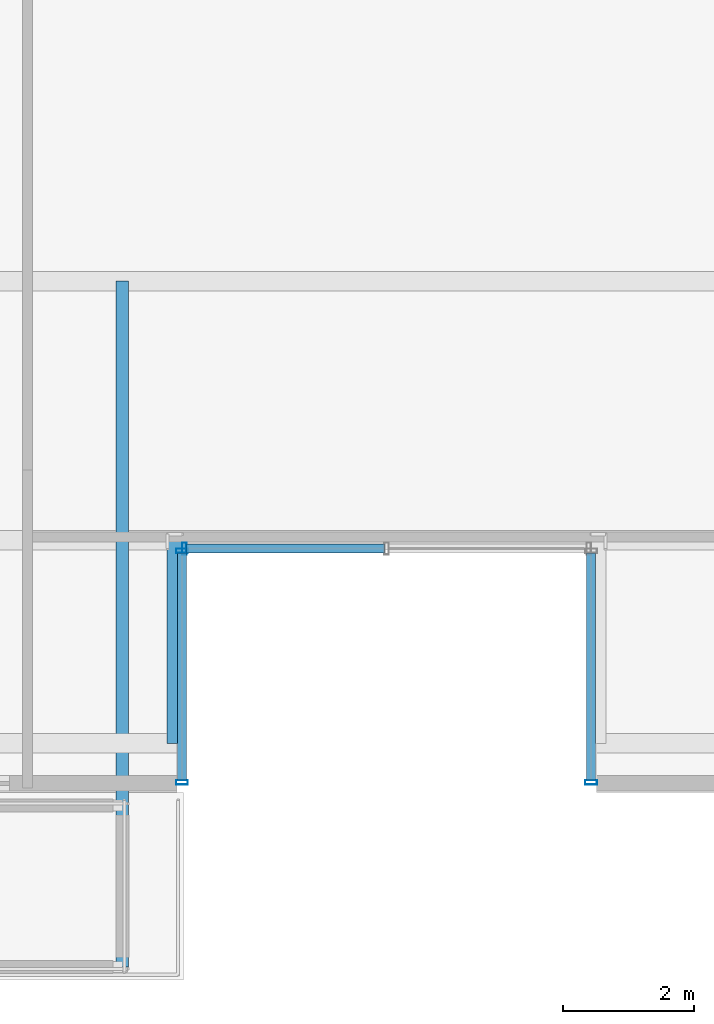
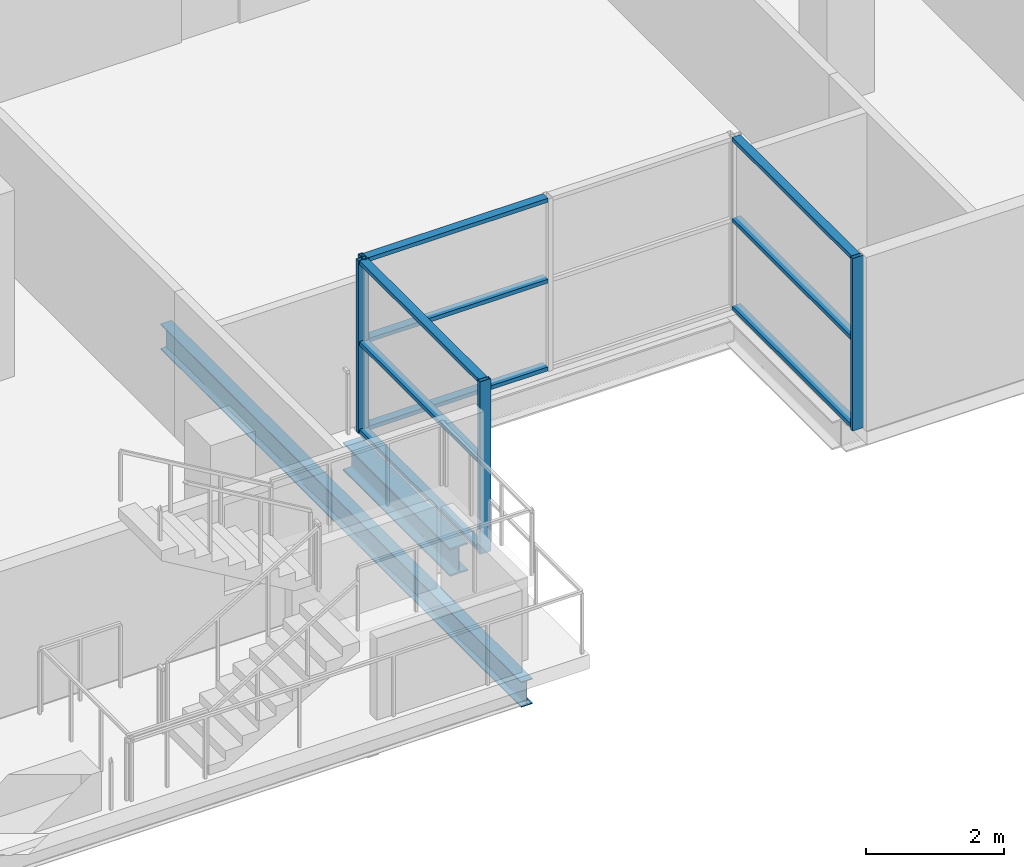
# One storey, part 2 of 23: 13 members, 2 beams, 3 elements without a shape of their own.
"""IFC4 building model written with IfcOpenShell, lengths in metres."""

from ifc_helpers import new_model, si_unit, direction, frame, origin, origin_2d, place, context, subcontext, project, spatial, hollow_rectangle, i_section, extrude, source, transform, mapped, material, layer, layer_set, material_profile, profile_set, type_object, element, aggregate, save


model = new_model("IFC4")

# Units and contexts
model_context = context("Model", 3, precision=1e-05, world=origin(), true_north=direction((0.0, 1.0)))
body_context = subcontext(model_context, "Body", "Model", "MODEL_VIEW")
ifc_project = project(units=[si_unit("LENGTHUNIT", "METRE"), si_unit("AREAUNIT", "SQUARE_METRE"), si_unit("VOLUMEUNIT", "CUBIC_METRE"), si_unit("PLANEANGLEUNIT", "RADIAN"), si_unit("MASSUNIT", "GRAM", prefix="KILO")], contexts=[model_context])

# Site, building, storey
site_placement = place(None, origin())
site = spatial("IfcSite", under=ifc_project, at=site_placement, CompositionType="ELEMENT")
building_placement = place(site_placement, origin())
building = spatial("IfcBuilding", under=site, at=building_placement, Name="Zarnakvel Exchange Tower", CompositionType="ELEMENT")
storey_placement = place(building_placement, frame((0.0, 0.0, 146.199951171875)))
storey = spatial("IfcBuildingStorey", under=building, at=storey_placement, Name="L40", CompositionType="ELEMENT", Elevation=146.199951171875)

# Beams
ifc_material_1 = material(Name="Steel S355", Category="steel")
ifc_material_profile_1 = material_profile(ifc_material_1, i_section(OverallWidth=0.18994140625, OverallDepth=0.449951171875, WebThickness=0.009521484375, FlangeThickness=0.0146484375, FilletRadius=0.02099609375, at=origin_2d()))
ifc_profile_set_1 = profile_set([ifc_material_profile_1], Name="Steel S355")
beam_type_1 = type_object("IfcBeamType", Name="B-05", PredefinedType="JOIST", material=ifc_profile_set_1)
beam_1_placement = place(storey_placement, frame((-4.030029296875, -9.60009765625, -0.474853515625), z_axis=(0.0, -1.0, 0.0), x_axis=(1.0, 0.0, 0.0)))
element("IfcBeam", 1, at=beam_1_placement, inside=storey, type_object=beam_type_1, Name="L40 Continuous Spiral Terrace Beam E", PredefinedType="JOIST", context=body_context, shape_type="SweptSolid", body=[
    extrude(i_section(OverallWidth=0.18994140625, OverallDepth=0.449951171875, WebThickness=0.009521484375, FlangeThickness=0.0146484375, FilletRadius=0.02099609375, at=origin_2d()), origin(), (0.0, 0.0, 1.0), 10.4599609375),
])
ifc_material_profile_2 = material_profile(ifc_material_1, i_section(OverallWidth=0.300048828125, OverallDepth=0.5, WebThickness=0.014404296875, FlangeThickness=0.028076171875, FilletRadius=0.027099609375, at=origin_2d()))
ifc_profile_set_2 = profile_set([ifc_material_profile_2], Name="Steel S355")
beam_type_2 = type_object("IfcBeamType", Name="G-06", PredefinedType="BEAM", material=ifc_profile_set_2)
beam_2_placement = place(storey_placement, frame((-3.199951171875, -16.64990234375, -0.474853515625), z_axis=(0.0, 1.0, 0.0), x_axis=(-1.0, 0.0, 0.0)))
element("IfcBeam", 2, at=beam_2_placement, inside=storey, type_object=beam_type_2, Name="L40 South Slot West Cheek Beam", PredefinedType="BEAM", context=body_context, shape_type="SweptSolid", body=[
    extrude(i_section(OverallWidth=0.300048828125, OverallDepth=0.5, WebThickness=0.014404296875, FlangeThickness=0.028076171875, FilletRadius=0.027099609375, at=origin_2d()), origin(), (0.0, 0.0, 1.0), 3.099853515625),
])

# Curtain wall, members
ifc_material_2 = material(Name="Architectural Bronze Anodised Aluminium", Category="aluminium")
ifc_layer = layer(ifc_material_2, 0.179931640625)
ifc_layer_set = layer_set([ifc_layer], Name="Architectural Bronze Anodised Aluminium")
curtain_wall_type = type_object("IfcCurtainWallType", Name="CW-05", PredefinedType="NOTDEFINED", material=ifc_layer_set)
curtain_wall_1_placement = place(storey_placement, origin())
curtain_wall_1 = element("IfcCurtainWall", 3, at=curtain_wall_1_placement, inside=storey, type_object=curtain_wall_type, Name="L40 Curtain Wall CW-L40-SLW (CW-05)", PredefinedType="NOTDEFINED")
ifc_material_profile_3 = material_profile(ifc_material_2, hollow_rectangle(XDim=0.139892578125, YDim=0.070068359375, WallThickness=0.00390625, at=origin_2d()))
ifc_profile_set_3 = profile_set([ifc_material_profile_3], Name="Architectural Bronze Anodised Aluminium")
member_type_1 = type_object("IfcMemberType", Name="CWT-05", PredefinedType="USERDEFINED", material=ifc_profile_set_3)
shared_shape_1 = source(origin(), body_context, "Body", "SweptSolid", [
    extrude(hollow_rectangle(XDim=0.139892578125, YDim=0.070068359375, WallThickness=0.00390625, at=origin_2d()), origin(), (0.0, 0.0, 1.0), 3.4599609375),
])
member_1_placement = place(storey_placement, frame((-3.1201171875, -17.2099609375, 0.03515625), z_axis=(0.0, 1.0, 0.0), x_axis=(-1.0, 0.0, 0.0)))
member_1 = element("IfcMember", 4, at=member_1_placement, type_object=member_type_1, Name="CW-05 transom 1.1", ObjectType="TRANSOM", PredefinedType="USERDEFINED", context=body_context, shape_type="MappedRepresentation", body=[
    mapped(shared_shape_1, transform((0.0, 0.0, 0.0), x_axis=(1.0, 0.0, 0.0), y_axis=(0.0, 1.0, 0.0), z_axis=(0.0, 0.0, 1.0), scale=1.0)),
])
member_2_placement = place(storey_placement, frame((-3.1201171875, -17.2099609375, 1.588623046875), z_axis=(0.0, 1.0, 0.0), x_axis=(-1.0, 0.0, 0.0)))
member_2 = element("IfcMember", 5, at=member_2_placement, type_object=member_type_1, Name="CW-05 transom 1.2", ObjectType="TRANSOM", PredefinedType="USERDEFINED", context=body_context, shape_type="MappedRepresentation", body=[
    mapped(shared_shape_1, transform((0.0, 0.0, 0.0), x_axis=(1.0, 0.0, 0.0), y_axis=(0.0, 1.0, 0.0), z_axis=(0.0, 0.0, 1.0), scale=1.0)),
])
member_3_placement = place(storey_placement, frame((-3.1201171875, -17.2099609375, 3.02001953125), z_axis=(0.0, 1.0, 0.0), x_axis=(-1.0, 0.0, 0.0)))
member_3 = element("IfcMember", 6, at=member_3_placement, type_object=member_type_1, Name="CW-05 transom 1.3", ObjectType="TRANSOM", PredefinedType="USERDEFINED", context=body_context, shape_type="MappedRepresentation", body=[
    mapped(shared_shape_1, transform((0.0, 0.0, 0.0), x_axis=(1.0, 0.0, 0.0), y_axis=(0.0, 1.0, 0.0), z_axis=(0.0, 0.0, 1.0), scale=1.0)),
])

curtain_wall_2_placement = place(storey_placement, origin())
curtain_wall_2 = element("IfcCurtainWall", 7, at=curtain_wall_2_placement, inside=storey, type_object=curtain_wall_type, Name="L40 Curtain Wall CW-L40-SLE (CW-05)", PredefinedType="NOTDEFINED")
member_4_placement = place(storey_placement, frame((3.1201171875, -13.75, 0.03515625), z_axis=(0.0, -1.0, 0.0), x_axis=(1.0, 0.0, 0.0)))
member_4 = element("IfcMember", 8, at=member_4_placement, type_object=member_type_1, Name="CW-05 transom 1.1", ObjectType="TRANSOM", PredefinedType="USERDEFINED", context=body_context, shape_type="MappedRepresentation", body=[
    mapped(shared_shape_1, transform((0.0, 0.0, 0.0), x_axis=(1.0, 0.0, 0.0), y_axis=(0.0, 1.0, 0.0), z_axis=(0.0, 0.0, 1.0), scale=1.0)),
])
member_5_placement = place(storey_placement, frame((3.1201171875, -13.75, 1.588623046875), z_axis=(0.0, -1.0, 0.0), x_axis=(1.0, 0.0, 0.0)))
member_5 = element("IfcMember", 9, at=member_5_placement, type_object=member_type_1, Name="CW-05 transom 1.2", ObjectType="TRANSOM", PredefinedType="USERDEFINED", context=body_context, shape_type="MappedRepresentation", body=[
    mapped(shared_shape_1, transform((0.0, 0.0, 0.0), x_axis=(1.0, 0.0, 0.0), y_axis=(0.0, 1.0, 0.0), z_axis=(0.0, 0.0, 1.0), scale=1.0)),
])
member_6_placement = place(storey_placement, frame((3.1201171875, -13.75, 3.02001953125), z_axis=(0.0, -1.0, 0.0), x_axis=(1.0, 0.0, 0.0)))
member_6 = element("IfcMember", 10, at=member_6_placement, type_object=member_type_1, Name="CW-05 transom 1.3", ObjectType="TRANSOM", PredefinedType="USERDEFINED", context=body_context, shape_type="MappedRepresentation", body=[
    mapped(shared_shape_1, transform((0.0, 0.0, 0.0), x_axis=(1.0, 0.0, 0.0), y_axis=(0.0, 1.0, 0.0), z_axis=(0.0, 0.0, 1.0), scale=1.0)),
])

curtain_wall_3_placement = place(storey_placement, origin())
curtain_wall_3 = element("IfcCurtainWall", 11, at=curtain_wall_3_placement, inside=storey, type_object=curtain_wall_type, Name="L40 Curtain Wall CW-L40-SLB (CW-05)", PredefinedType="NOTDEFINED")
shared_shape_2 = source(origin(), body_context, "Body", "SweptSolid", [
    extrude(hollow_rectangle(XDim=0.139892578125, YDim=0.070068359375, WallThickness=0.00390625, at=origin_2d()), origin(), (0.0, 0.0, 1.0), 3.01513671875),
])
member_7_placement = place(storey_placement, frame((-3.050048828125, -13.679931640625, 0.03515625), z_axis=(1.0, 0.0, 0.0), x_axis=(0.0, 1.0, 0.0)))
member_7 = element("IfcMember", 12, at=member_7_placement, type_object=member_type_1, Name="CW-05 transom 1.1", ObjectType="TRANSOM", PredefinedType="USERDEFINED", context=body_context, shape_type="MappedRepresentation", body=[
    mapped(shared_shape_2, transform((0.0, 0.0, 0.0), x_axis=(1.0, 0.0, 0.0), y_axis=(0.0, 1.0, 0.0), z_axis=(0.0, 0.0, 1.0), scale=1.0)),
])
member_8_placement = place(storey_placement, frame((-3.050048828125, -13.679931640625, 1.588623046875), z_axis=(1.0, 0.0, 0.0), x_axis=(0.0, 1.0, 0.0)))
member_8 = element("IfcMember", 13, at=member_8_placement, type_object=member_type_1, Name="CW-05 transom 1.2", ObjectType="TRANSOM", PredefinedType="USERDEFINED", context=body_context, shape_type="MappedRepresentation", body=[
    mapped(shared_shape_2, transform((0.0, 0.0, 0.0), x_axis=(1.0, 0.0, 0.0), y_axis=(0.0, 1.0, 0.0), z_axis=(0.0, 0.0, 1.0), scale=1.0)),
])
member_9_placement = place(storey_placement, frame((-3.050048828125, -13.679931640625, 3.02001953125), z_axis=(1.0, 0.0, 0.0), x_axis=(0.0, 1.0, 0.0)))
member_9 = element("IfcMember", 14, at=member_9_placement, type_object=member_type_1, Name="CW-05 transom 1.3", ObjectType="TRANSOM", PredefinedType="USERDEFINED", context=body_context, shape_type="MappedRepresentation", body=[
    mapped(shared_shape_2, transform((0.0, 0.0, 0.0), x_axis=(1.0, 0.0, 0.0), y_axis=(0.0, 1.0, 0.0), z_axis=(0.0, 0.0, 1.0), scale=1.0)),
])

# Member
ifc_material_profile_4 = material_profile(ifc_material_2, hollow_rectangle(XDim=0.179931640625, YDim=0.070068359375, WallThickness=0.00390625, at=origin_2d()))
ifc_profile_set_4 = profile_set([ifc_material_profile_4], Name="Architectural Bronze Anodised Aluminium")
member_type_2 = type_object("IfcMemberType", Name="CWM-05", PredefinedType="MULLION", material=ifc_profile_set_4)
shared_shape_3 = source(origin(), body_context, "Body", "SweptSolid", [
    extrude(hollow_rectangle(XDim=0.179931640625, YDim=0.070068359375, WallThickness=0.00390625, at=origin_2d()), origin(), (0.0, 0.0, 1.0), 3.054931640625),
])
member_10_placement = place(storey_placement, frame((-3.1201171875, -17.2451171875, 0.0), z_axis=(0.0, 0.0, 1.0), x_axis=(-1.0, 0.0, 0.0)))
member_10 = element("IfcMember", 15, at=member_10_placement, type_object=member_type_2, Name="CW-05 mullion 1", PredefinedType="MULLION", context=body_context, shape_type="MappedRepresentation", body=[
    mapped(shared_shape_3, transform((0.0, 0.0, 0.0), x_axis=(1.0, 0.0, 0.0), y_axis=(0.0, 1.0, 0.0), z_axis=(0.0, 0.0, 1.0), scale=1.0)),
])

member_11_placement = place(storey_placement, frame((-3.1201171875, -13.715087890625, 0.0), z_axis=(0.0, 0.0, 1.0), x_axis=(-1.0, 0.0, 0.0)))
member_11 = element("IfcMember", 16, at=member_11_placement, type_object=member_type_2, Name="CW-05 mullion 2", PredefinedType="MULLION", context=body_context, shape_type="MappedRepresentation", body=[
    mapped(shared_shape_3, transform((0.0, 0.0, 0.0), x_axis=(1.0, 0.0, 0.0), y_axis=(0.0, 1.0, 0.0), z_axis=(0.0, 0.0, 1.0), scale=1.0)),
])

aggregate(curtain_wall_1, [member_10, member_11, member_1, member_2, member_3])

member_12_placement = place(storey_placement, frame((-3.0849609375, -13.679931640625, 0.0), z_axis=(0.0, 0.0, 1.0), x_axis=(0.0, 1.0, 0.0)))
member_12 = element("IfcMember", 17, at=member_12_placement, type_object=member_type_2, Name="CW-05 mullion 1", PredefinedType="MULLION", context=body_context, shape_type="MappedRepresentation", body=[
    mapped(shared_shape_3, transform((0.0, 0.0, 0.0), x_axis=(1.0, 0.0, 0.0), y_axis=(0.0, 1.0, 0.0), z_axis=(0.0, 0.0, 1.0), scale=1.0)),
])

aggregate(curtain_wall_3, [member_12, member_7, member_8, member_9])

member_13_placement = place(storey_placement, frame((3.1201171875, -17.2451171875, 0.0), z_axis=(0.0, 0.0, 1.0), x_axis=(1.0, 0.0, 0.0)))
member_13 = element("IfcMember", 18, at=member_13_placement, type_object=member_type_2, Name="CW-05 mullion 2", PredefinedType="MULLION", context=body_context, shape_type="MappedRepresentation", body=[
    mapped(shared_shape_3, transform((0.0, 0.0, 0.0), x_axis=(1.0, 0.0, 0.0), y_axis=(0.0, 1.0, 0.0), z_axis=(0.0, 0.0, 1.0), scale=1.0)),
])

aggregate(curtain_wall_2, [member_13, member_4, member_5, member_6])

save(model, "model.ifc")
